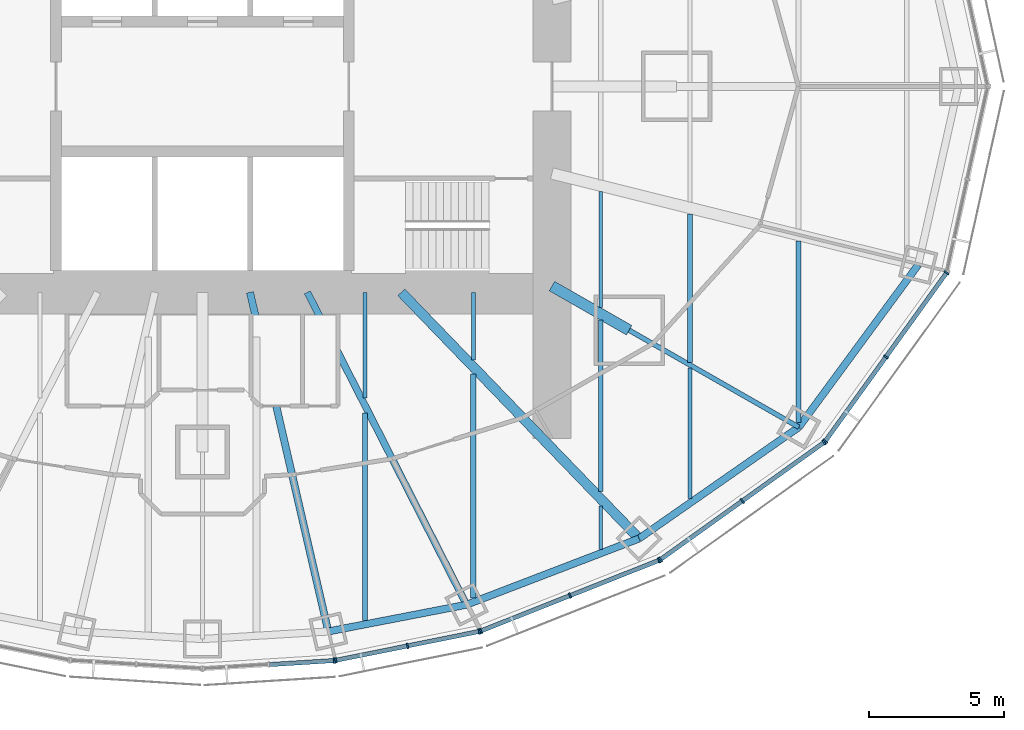
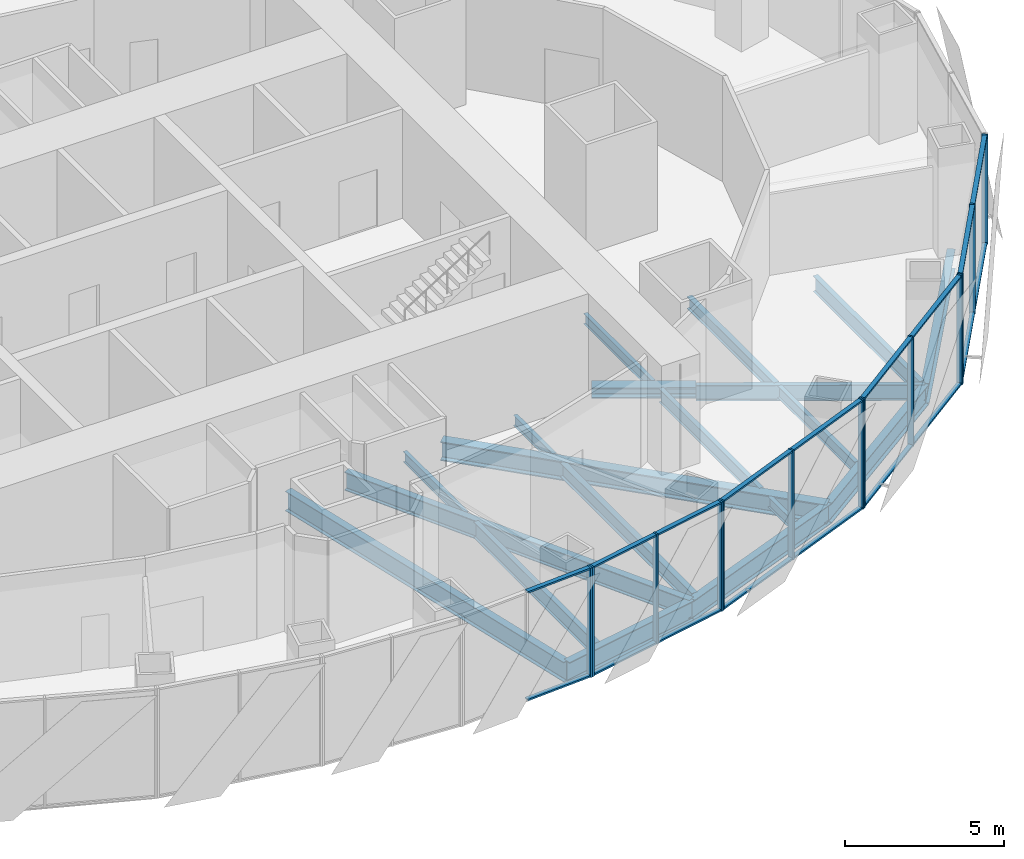
# One storey, part 5 of 18: 31 members, 19 beams, 5 elements without a shape of their own.
"""IFC4 building model written with IfcOpenShell, lengths in metres."""

from ifc_helpers import new_model, si_unit, direction, frame, origin, origin_2d, place, context, subcontext, project, spatial, rectangle, i_section, extrude, material, material_profile, profile_set, type_object, element, aggregate, save


model = new_model("IFC4")

# Units and contexts
model_context = context("Model", 3, precision=1e-05, world=origin(), true_north=direction((0.0, 1.0)))
body_context = subcontext(model_context, "Body", "Model", "MODEL_VIEW")
ifc_project = project(units=[si_unit("LENGTHUNIT", "METRE"), si_unit("AREAUNIT", "SQUARE_METRE"), si_unit("VOLUMEUNIT", "CUBIC_METRE"), si_unit("PLANEANGLEUNIT", "RADIAN"), si_unit("MASSUNIT", "GRAM", prefix="KILO")], contexts=[model_context])

# Site, building, storey
site_placement = place(None, origin())
site = spatial("IfcSite", under=ifc_project, at=site_placement, CompositionType="ELEMENT")
building_placement = place(site_placement, origin())
building = spatial("IfcBuilding", under=site, at=building_placement, Name="Lantaw Convention Tower", CompositionType="ELEMENT")
storey_placement = place(building_placement, frame((0.0, 0.0, 172.0)))
storey = spatial("IfcBuildingStorey", under=building, at=storey_placement, Name="L40", CompositionType="ELEMENT", Elevation=172.0)

# Beams
ifc_material_1 = material(Name="Steel ASTM A992", Category="steel")
ifc_material_profile_1 = material_profile(ifc_material_1, i_section(OverallWidth=0.2666015625, OverallDepth=0.76953125, WebThickness=0.015625, FlangeThickness=0.025390625, FilletRadius=0.0126953125, at=origin_2d()), Name="W30X132")
ifc_profile_set_1 = profile_set([ifc_material_profile_1], Name="Steel ASTM A992")
beam_type_1 = type_object("IfcBeamType", Name="Beam E W30X132", PredefinedType="SPANDREL", material=ifc_profile_set_1)
beam_1_placement = place(storey_placement, frame((4.64501953125, -20.1201171875, -0.534912109375), z_axis=(0.981796805654, 0.189934284446, 0.0), x_axis=(-0.189934284446, 0.981796805654, 0.0)))
element("IfcBeam", 1, at=beam_1_placement, inside=storey, type_object=beam_type_1, Name="Edge beam 20", PredefinedType="SPANDREL", context=body_context, shape_type="SweptSolid", body=[
    extrude(i_section(OverallWidth=0.2666015625, OverallDepth=0.76953125, WebThickness=0.015625, FlangeThickness=0.025390625, FilletRadius=0.0126953125, at=origin_2d()), origin(), (0.0, 0.0, 1.0), 5.1982421875),
])
beam_2_placement = place(storey_placement, frame((9.74853515625, -19.1328125, -0.534912109375), z_axis=(0.933691081977, 0.358079549033, 0.0), x_axis=(-0.358079549033, 0.933691081977, 0.0)))
element("IfcBeam", 2, at=beam_2_placement, inside=storey, type_object=beam_type_1, Name="Edge beam 21", PredefinedType="SPANDREL", context=body_context, shape_type="SweptSolid", body=[
    extrude(i_section(OverallWidth=0.2666015625, OverallDepth=0.76953125, WebThickness=0.015625, FlangeThickness=0.025390625, FilletRadius=0.0126953125, at=origin_2d()), origin(), (0.0, 0.0, 1.0), 6.821533203125),
])
beam_3_placement = place(storey_placement, frame((16.11767578125, -16.690185546875, -0.534912109375), z_axis=(0.820310765287, 0.57191804339, 0.0), x_axis=(-0.57191804339, 0.820310765287, 0.0)))
element("IfcBeam", 3, at=beam_3_placement, inside=storey, type_object=beam_type_1, Name="Edge beam 22", PredefinedType="SPANDREL", context=body_context, shape_type="SweptSolid", body=[
    extrude(i_section(OverallWidth=0.2666015625, OverallDepth=0.76953125, WebThickness=0.015625, FlangeThickness=0.025390625, FilletRadius=0.0126953125, at=origin_2d()), origin(), (0.0, 0.0, 1.0), 7.187744140625),
])
beam_4_placement = place(storey_placement, frame((22.013916015625, -12.579345703125, -0.534912109375), z_axis=(0.5923891972, 0.805651934176, 0.0), x_axis=(-0.805651934176, 0.5923891972, 0.0)))
element("IfcBeam", 4, at=beam_4_placement, inside=storey, type_object=beam_type_1, Name="Edge beam 23", PredefinedType="SPANDREL", context=body_context, shape_type="SweptSolid", body=[
    extrude(i_section(OverallWidth=0.2666015625, OverallDepth=0.76953125, WebThickness=0.015625, FlangeThickness=0.025390625, FilletRadius=0.0126953125, at=origin_2d()), origin(), (0.0, 0.0, 1.0), 7.437744140625),
])
ifc_material_profile_2 = material_profile(ifc_material_1, i_section(OverallWidth=0.177978515625, OverallDepth=0.599365234375, WebThickness=0.010009765625, FlangeThickness=0.012939453125, FilletRadius=0.012939453125, at=origin_2d()), Name="W24X55")
ifc_profile_set_2 = profile_set([ifc_material_profile_2], Name="Steel ASTM A992")
beam_type_2 = type_object("IfcBeamType", Name="Beam G W24X55", PredefinedType="BEAM", material=ifc_profile_set_2)
beam_5_placement = place(storey_placement, frame((15.75, -9.0, -0.44970703125), z_axis=(0.868245224608, -0.496135293993, 0.0), x_axis=(0.496135293993, 0.868245224608, 0.0)))
element("IfcBeam", 5, at=beam_5_placement, inside=storey, type_object=beam_type_2, Name="Floor girder on ray 23", PredefinedType="BEAM", context=body_context, shape_type="SweptSolid", body=[
    extrude(i_section(OverallWidth=0.177978515625, OverallDepth=0.599365234375, WebThickness=0.010009765625, FlangeThickness=0.012939453125, FilletRadius=0.012939453125, at=origin_2d()), origin(), (0.0, 0.0, 1.0), 7.21435546875),
])
ifc_material_profile_3 = material_profile(ifc_material_1, i_section(OverallWidth=0.25390625, OverallDepth=0.700927734375, WebThickness=0.015380859375, FlangeThickness=0.02783203125, FilletRadius=0.01513671875, at=origin_2d()), Name="W27X129")
ifc_profile_set_3 = profile_set([ifc_material_profile_3], Name="Steel ASTM A992")
beam_type_3 = type_object("IfcBeamType", Name="Beam G W27X129", PredefinedType="BEAM", material=ifc_profile_set_3)
beam_6_placement = place(storey_placement, frame((3.872314453125, -7.60009765625, -0.50048828125), z_axis=(0.453991051051, -0.891006243281, 0.0), x_axis=(0.891006243281, 0.453991051051, 0.0)))
element("IfcBeam", 6, at=beam_6_placement, inside=storey, type_object=beam_type_3, Name="Floor girder on ray 21", PredefinedType="BEAM", context=body_context, shape_type="SweptSolid", body=[
    extrude(i_section(OverallWidth=0.25390625, OverallDepth=0.700927734375, WebThickness=0.015380859375, FlangeThickness=0.02783203125, FilletRadius=0.01513671875, at=origin_2d()), origin(), (0.0, 0.0, 1.0), 12.943359375),
])
ifc_material_profile_4 = material_profile(ifc_material_1, i_section(OverallWidth=0.360595703125, OverallDepth=0.72900390625, WebThickness=0.023193359375, FlangeThickness=0.041015625, FilletRadius=0.0126953125, at=origin_2d()), Name="W27X235")
ifc_profile_set_4 = profile_set([ifc_material_profile_4], Name="Steel ASTM A992")
beam_type_4 = type_object("IfcBeamType", Name="Beam G W27X235", PredefinedType="BEAM", material=ifc_profile_set_4)
beam_7_placement = place(storey_placement, frame((7.33935546875, -7.60009765625, -0.514404296875), z_axis=(0.694663467407, -0.719334878239, 0.0), x_axis=(0.719334878239, 0.694663467407, 0.0)))
element("IfcBeam", 7, at=beam_7_placement, inside=storey, type_object=beam_type_4, Name="Floor girder on ray 22", PredefinedType="BEAM", context=body_context, shape_type="SweptSolid", body=[
    extrude(i_section(OverallWidth=0.360595703125, OverallDepth=0.72900390625, WebThickness=0.023193359375, FlangeThickness=0.041015625, FilletRadius=0.0126953125, at=origin_2d()), origin(), (0.0, 0.0, 1.0), 12.63671875),
])
ifc_material_profile_5 = material_profile(ifc_material_1, i_section(OverallWidth=0.2666015625, OverallDepth=0.7568359375, WebThickness=0.013916015625, FlangeThickness=0.019287109375, FilletRadius=0.0126953125, at=origin_2d()), Name="W30X108")
ifc_profile_set_5 = profile_set([ifc_material_profile_5], Name="Steel ASTM A992")
beam_type_5 = type_object("IfcBeamType", Name="Beam G W30X108", PredefinedType="BEAM", material=ifc_profile_set_5)
beam_8_placement = place(storey_placement, frame((1.754638671875, -7.60009765625, -0.528564453125), z_axis=(0.224944153104, -0.974371658036, 0.0), x_axis=(0.974371658036, 0.224944153104, 0.0)))
element("IfcBeam", 8, at=beam_8_placement, inside=storey, type_object=beam_type_5, Name="Floor girder on ray 20", PredefinedType="BEAM", context=body_context, shape_type="SweptSolid", body=[
    extrude(i_section(OverallWidth=0.2666015625, OverallDepth=0.7568359375, WebThickness=0.013916015625, FlangeThickness=0.019287109375, FilletRadius=0.0126953125, at=origin_2d()), origin(), (0.0, 0.0, 1.0), 12.849365234375),
])
ifc_material_profile_6 = material_profile(ifc_material_1, i_section(OverallWidth=0.40380859375, OverallDepth=0.406494140625, WebThickness=0.027099609375, FlangeThickness=0.043701171875, FilletRadius=0.01513671875, at=origin_2d()), Name="W14X233")
ifc_profile_set_6 = profile_set([ifc_material_profile_6], Name="Steel ASTM A992")
beam_type_6 = type_object("IfcBeamType", Name="Beam GM W14X233", PredefinedType="BEAM", material=ifc_profile_set_6)
beam_9_placement = place(storey_placement, frame((12.89990234375, -7.371337890625, -0.353271484375), z_axis=(0.868238565244, -0.496146947811, 0.0), x_axis=(0.496146947811, 0.868238565244, 0.0)))
element("IfcBeam", 9, at=beam_9_placement, inside=storey, type_object=beam_type_6, Name="Core link beam on ray 23", PredefinedType="BEAM", context=body_context, shape_type="SweptSolid", body=[
    extrude(i_section(OverallWidth=0.40380859375, OverallDepth=0.406494140625, WebThickness=0.027099609375, FlangeThickness=0.043701171875, FilletRadius=0.01513671875, at=origin_2d()), origin(), (0.0, 0.0, 1.0), 3.28271484375),
])
ifc_material_profile_7 = material_profile(ifc_material_1, i_section(OverallWidth=0.140380859375, OverallDepth=0.40380859375, WebThickness=0.007080078125, FlangeThickness=0.01123046875, FilletRadius=0.01025390625, at=origin_2d()), Name="W16X31")
ifc_profile_set_7 = profile_set([ifc_material_profile_7], Name="Steel ASTM A992")
beam_type_7 = type_object("IfcBeamType", Name="Beam J W16X31", PredefinedType="JOIST", material=ifc_profile_set_7)
beam_10_placement = place(storey_placement, frame((6.0, -11.495849609375, -0.35205078125), z_axis=(0.0, 1.0, 0.0), x_axis=(-1.0, 0.0, 0.0)))
element("IfcBeam", 10, at=beam_10_placement, inside=storey, type_object=beam_type_7, Name="Floor joist", PredefinedType="JOIST", context=body_context, shape_type="SweptSolid", body=[
    extrude(i_section(OverallWidth=0.140380859375, OverallDepth=0.40380859375, WebThickness=0.007080078125, FlangeThickness=0.01123046875, FilletRadius=0.01025390625, at=origin_2d()), origin(), (0.0, 0.0, 1.0), 3.895751953125),
])
beam_11_placement = place(storey_placement, frame((10.0, -10.095703125, -0.35205078125), z_axis=(0.0, 1.0, 0.0), x_axis=(-1.0, 0.0, 0.0)))
element("IfcBeam", 11, at=beam_11_placement, inside=storey, type_object=beam_type_7, Name="Floor joist", PredefinedType="JOIST", context=body_context, shape_type="SweptSolid", body=[
    extrude(i_section(OverallWidth=0.140380859375, OverallDepth=0.40380859375, WebThickness=0.007080078125, FlangeThickness=0.01123046875, FilletRadius=0.01025390625, at=origin_2d()), origin(), (0.0, 0.0, 1.0), 2.49560546875),
])
beam_12_placement = place(storey_placement, frame((14.699951171875, -17.091064453125, -0.35205078125), z_axis=(0.0, 1.0, 0.0), x_axis=(-1.0, 0.0, 0.0)))
element("IfcBeam", 12, at=beam_12_placement, inside=storey, type_object=beam_type_7, Name="Floor joist", PredefinedType="JOIST", context=body_context, shape_type="SweptSolid", body=[
    extrude(i_section(OverallWidth=0.140380859375, OverallDepth=0.40380859375, WebThickness=0.007080078125, FlangeThickness=0.01123046875, FilletRadius=0.01025390625, at=origin_2d()), origin(), (0.0, 0.0, 1.0), 1.609130859375),
])
beam_13_placement = place(storey_placement, frame((14.699951171875, -8.16748046875, -0.35205078125), z_axis=(0.0, 1.0, 0.0), x_axis=(-1.0, 0.0, 0.0)))
element("IfcBeam", 13, at=beam_13_placement, inside=storey, type_object=beam_type_7, Name="Floor joist", PredefinedType="JOIST", context=body_context, shape_type="SweptSolid", body=[
    extrude(i_section(OverallWidth=0.140380859375, OverallDepth=0.40380859375, WebThickness=0.007080078125, FlangeThickness=0.01123046875, FilletRadius=0.01025390625, at=origin_2d()), origin(), (0.0, 0.0, 1.0), 4.28515625),
])
ifc_material_profile_8 = material_profile(ifc_material_1, i_section(OverallWidth=0.15234375, OverallDepth=0.449462890625, WebThickness=0.007568359375, FlangeThickness=0.0107421875, FilletRadius=0.01025390625, at=origin_2d()), Name="W18X35")
ifc_profile_set_8 = profile_set([ifc_material_profile_8], Name="Steel ASTM A992")
beam_type_8 = type_object("IfcBeamType", Name="Beam J W18X35", PredefinedType="JOIST", material=ifc_profile_set_8)
beam_14_placement = place(storey_placement, frame((18.0, -15.21533203125, -0.374755859375), z_axis=(0.0, 1.0, 0.0), x_axis=(-1.0, 0.0, 0.0)))
element("IfcBeam", 14, at=beam_14_placement, inside=storey, type_object=beam_type_8, Name="Floor joist", PredefinedType="JOIST", context=body_context, shape_type="SweptSolid", body=[
    extrude(i_section(OverallWidth=0.15234375, OverallDepth=0.449462890625, WebThickness=0.007568359375, FlangeThickness=0.0107421875, FilletRadius=0.01025390625, at=origin_2d()), origin(), (0.0, 0.0, 1.0), 4.8271484375),
])
ifc_material_profile_9 = material_profile(ifc_material_1, i_section(OverallWidth=0.1904296875, OverallDepth=0.457275390625, WebThickness=0.009033203125, FlangeThickness=0.014404296875, FilletRadius=0.01025390625, at=origin_2d()), Name="W18X50")
ifc_profile_set_9 = profile_set([ifc_material_profile_9], Name="Steel ASTM A992")
beam_type_9 = type_object("IfcBeamType", Name="Beam J W18X50", PredefinedType="JOIST", material=ifc_profile_set_9)
beam_15_placement = place(storey_placement, frame((18.0, -10.18310546875, -0.378662109375), z_axis=(0.0, 1.0, 0.0), x_axis=(-1.0, 0.0, 0.0)))
element("IfcBeam", 15, at=beam_15_placement, inside=storey, type_object=beam_type_9, Name="Floor joist", PredefinedType="JOIST", context=body_context, shape_type="SweptSolid", body=[
    extrude(i_section(OverallWidth=0.1904296875, OverallDepth=0.457275390625, WebThickness=0.009033203125, FlangeThickness=0.014404296875, FilletRadius=0.01025390625, at=origin_2d()), origin(), (0.0, 0.0, 1.0), 5.47802734375),
])
ifc_material_profile_10 = material_profile(ifc_material_1, i_section(OverallWidth=0.1650390625, OverallDepth=0.52587890625, WebThickness=0.0087890625, FlangeThickness=0.011474609375, FilletRadius=0.0126953125, at=origin_2d()), Name="W21X44")
ifc_profile_set_10 = profile_set([ifc_material_profile_10], Name="Steel ASTM A992")
beam_type_10 = type_object("IfcBeamType", Name="Beam J W21X44", PredefinedType="JOIST", material=ifc_profile_set_10)
beam_16_placement = place(storey_placement, frame((14.699951171875, -14.962646484375, -0.412841796875), z_axis=(0.0, 1.0, 0.0), x_axis=(-1.0, 0.0, 0.0)))
element("IfcBeam", 16, at=beam_16_placement, inside=storey, type_object=beam_type_10, Name="Floor joist", PredefinedType="JOIST", context=body_context, shape_type="SweptSolid", body=[
    extrude(i_section(OverallWidth=0.1650390625, OverallDepth=0.52587890625, WebThickness=0.0087890625, FlangeThickness=0.011474609375, FilletRadius=0.0126953125, at=origin_2d()), origin(), (0.0, 0.0, 1.0), 6.330078125),
])
ifc_material_profile_11 = material_profile(ifc_material_1, i_section(OverallWidth=0.2099609375, OverallDepth=0.535888671875, WebThickness=0.010986328125, FlangeThickness=0.017333984375, FilletRadius=0.012939453125, at=origin_2d()), Name="W21X68")
ifc_profile_set_11 = profile_set([ifc_material_profile_11], Name="Steel ASTM A992")
beam_type_11 = type_object("IfcBeamType", Name="Beam J W21X68", PredefinedType="JOIST", material=ifc_profile_set_11)
beam_17_placement = place(storey_placement, frame((10.0, -18.8935546875, -0.41796875), z_axis=(0.0, 1.0, 0.0), x_axis=(-1.0, 0.0, 0.0)))
element("IfcBeam", 17, at=beam_17_placement, inside=storey, type_object=beam_type_11, Name="Floor joist", PredefinedType="JOIST", context=body_context, shape_type="SweptSolid", body=[
    extrude(i_section(OverallWidth=0.2099609375, OverallDepth=0.535888671875, WebThickness=0.010986328125, FlangeThickness=0.017333984375, FilletRadius=0.012939453125, at=origin_2d()), origin(), (0.0, 0.0, 1.0), 8.278564453125),
])
ifc_material_profile_12 = material_profile(ifc_material_1, i_section(OverallWidth=0.177978515625, OverallDepth=0.599365234375, WebThickness=0.010009765625, FlangeThickness=0.012939453125, FilletRadius=0.012939453125, at=origin_2d()), Name="W24X55")
ifc_profile_set_12 = profile_set([ifc_material_profile_12], Name="Steel ASTM A992")
beam_type_12 = type_object("IfcBeamType", Name="Beam J W24X55", PredefinedType="JOIST", material=ifc_profile_set_12)
beam_18_placement = place(storey_placement, frame((6.0, -19.72216796875, -0.44970703125), z_axis=(0.0, 1.0, 0.0), x_axis=(-1.0, 0.0, 0.0)))
element("IfcBeam", 18, at=beam_18_placement, inside=storey, type_object=beam_type_12, Name="Floor joist", PredefinedType="JOIST", context=body_context, shape_type="SweptSolid", body=[
    extrude(i_section(OverallWidth=0.177978515625, OverallDepth=0.599365234375, WebThickness=0.010009765625, FlangeThickness=0.012939453125, FilletRadius=0.012939453125, at=origin_2d()), origin(), (0.0, 0.0, 1.0), 7.666748046875),
])
beam_19_placement = place(storey_placement, frame((22.0, -12.408935546875, -0.44970703125), z_axis=(0.0, 1.0, 0.0), x_axis=(-1.0, 0.0, 0.0)))
element("IfcBeam", 19, at=beam_19_placement, inside=storey, type_object=beam_type_12, Name="Floor joist", PredefinedType="JOIST", context=body_context, shape_type="SweptSolid", body=[
    extrude(i_section(OverallWidth=0.177978515625, OverallDepth=0.599365234375, WebThickness=0.010009765625, FlangeThickness=0.012939453125, FilletRadius=0.012939453125, at=origin_2d()), origin(), (0.0, 0.0, 1.0), 6.70654296875),
])

# Curtain wall, member
ifc_material_2 = material(Name="Aluminium framed curtain wall", Category="aluminium")
curtain_wall_type = type_object("IfcCurtainWallType", Name="Office curtain wall low rise, pale aluminium", PredefinedType="USERDEFINED", material=ifc_material_2)
curtain_wall_1_placement = place(storey_placement, origin())
curtain_wall_1 = element("IfcCurtainWall", 20, at=curtain_wall_1_placement, inside=storey, type_object=curtain_wall_type, Name="Office curtain wall low rise, pale aluminium L40", ObjectType="UNITISED CURTAIN WALL", PredefinedType="USERDEFINED")
ifc_material_3 = material(Name="Aluminium 6063-T6", Category="aluminium")
ifc_material_profile_13 = material_profile(ifc_material_3, rectangle(XDim=0.199951171875, YDim=0.06494140625, at=origin_2d()), Name="CW-O1 mullion 65x200")
ifc_profile_set_13 = profile_set([ifc_material_profile_13], Name="Aluminium 6063-T6")
member_type_1 = type_object("IfcMemberType", Name="CW-O1 mullion 65x200", PredefinedType="MULLION", material=ifc_profile_set_13)
member_1_placement = place(storey_placement, frame((4.860107421875, -21.19384765625, -0.14990234375), z_axis=(0.0, 0.0, 1.0), x_axis=(-0.062865059466, 0.998022035978, 0.0)))
member_1 = element("IfcMember", 21, at=member_1_placement, type_object=member_type_1, Name="CW-O1 mullion 3", PredefinedType="MULLION", context=body_context, shape_type="SweptSolid", body=[
    extrude(rectangle(XDim=0.199951171875, YDim=0.06494140625, at=origin_2d()), origin(), (0.0, 0.0, 1.0), 4.199951171875),
])

# Curtain wall, members
curtain_wall_2_placement = place(storey_placement, origin())
curtain_wall_2 = element("IfcCurtainWall", 22, at=curtain_wall_2_placement, inside=storey, type_object=curtain_wall_type, Name="Office curtain wall low rise, pale aluminium L40", ObjectType="UNITISED CURTAIN WALL", PredefinedType="USERDEFINED")
member_2_placement = place(storey_placement, frame((4.92431640625, -21.185302734375, -0.14990234375), z_axis=(0.0, 0.0, 1.0), x_axis=(-0.197506809659, 0.980301514912, 0.0)))
member_2 = element("IfcMember", 23, at=member_2_placement, type_object=member_type_1, Name="CW-O1 mullion 1", PredefinedType="MULLION", context=body_context, shape_type="SweptSolid", body=[
    extrude(rectangle(XDim=0.199951171875, YDim=0.06494140625, at=origin_2d()), origin(), (0.0, 0.0, 1.0), 4.199951171875),
])
member_3_placement = place(storey_placement, frame((7.5703125, -20.65234375, -0.14990234375), z_axis=(0.0, 0.0, 1.0), x_axis=(-0.197506809659, 0.980301514912, 0.0)))
member_3 = element("IfcMember", 24, at=member_3_placement, type_object=member_type_1, Name="CW-O1 mullion 2", PredefinedType="MULLION", context=body_context, shape_type="SweptSolid", body=[
    extrude(rectangle(XDim=0.199951171875, YDim=0.06494140625, at=origin_2d()), origin(), (0.0, 0.0, 1.0), 4.199951171875),
])
member_4_placement = place(storey_placement, frame((10.216064453125, -20.119140625, -0.14990234375), z_axis=(0.0, 0.0, 1.0), x_axis=(-0.197506809659, 0.980301514912, 0.0)))
member_4 = element("IfcMember", 25, at=member_4_placement, type_object=member_type_1, Name="CW-O1 mullion 3", PredefinedType="MULLION", context=body_context, shape_type="SweptSolid", body=[
    extrude(rectangle(XDim=0.199951171875, YDim=0.06494140625, at=origin_2d()), origin(), (0.0, 0.0, 1.0), 4.199951171875),
])

curtain_wall_3_placement = place(storey_placement, origin())
curtain_wall_3 = element("IfcCurtainWall", 26, at=curtain_wall_3_placement, inside=storey, type_object=curtain_wall_type, Name="Office curtain wall low rise, pale aluminium L40", ObjectType="UNITISED CURTAIN WALL", PredefinedType="USERDEFINED")
member_5_placement = place(storey_placement, frame((10.2783203125, -20.100830078125, -0.14990234375), z_axis=(0.0, 0.0, 1.0), x_axis=(-0.368701907483, 0.929547687544, 0.0)))
member_5 = element("IfcMember", 27, at=member_5_placement, type_object=member_type_1, Name="CW-O1 mullion 1", PredefinedType="MULLION", context=body_context, shape_type="SweptSolid", body=[
    extrude(rectangle(XDim=0.199951171875, YDim=0.06494140625, at=origin_2d()), origin(), (0.0, 0.0, 1.0), 4.199951171875),
])
member_6_placement = place(storey_placement, frame((13.56494140625, -18.797119140625, -0.14990234375), z_axis=(0.0, 0.0, 1.0), x_axis=(-0.368701907483, 0.929547687544, 0.0)))
member_6 = element("IfcMember", 28, at=member_6_placement, type_object=member_type_1, Name="CW-O1 mullion 2", PredefinedType="MULLION", context=body_context, shape_type="SweptSolid", body=[
    extrude(rectangle(XDim=0.199951171875, YDim=0.06494140625, at=origin_2d()), origin(), (0.0, 0.0, 1.0), 4.199951171875),
])
member_7_placement = place(storey_placement, frame((16.8515625, -17.49365234375, -0.14990234375), z_axis=(0.0, 0.0, 1.0), x_axis=(-0.368701907483, 0.929547687544, 0.0)))
member_7 = element("IfcMember", 29, at=member_7_placement, type_object=member_type_1, Name="CW-O1 mullion 3", PredefinedType="MULLION", context=body_context, shape_type="SweptSolid", body=[
    extrude(rectangle(XDim=0.199951171875, YDim=0.06494140625, at=origin_2d()), origin(), (0.0, 0.0, 1.0), 4.199951171875),
])

curtain_wall_4_placement = place(storey_placement, origin())
curtain_wall_4 = element("IfcCurtainWall", 30, at=curtain_wall_4_placement, inside=storey, type_object=curtain_wall_type, Name="Office curtain wall low rise, pale aluminium L40", ObjectType="UNITISED CURTAIN WALL", PredefinedType="USERDEFINED")
member_8_placement = place(storey_placement, frame((16.908203125, -17.462646484375, -0.14990234375), z_axis=(0.0, 0.0, 1.0), x_axis=(-0.581972695693, 0.813208325995, 0.0)))
member_8 = element("IfcMember", 31, at=member_8_placement, type_object=member_type_1, Name="CW-O1 mullion 1", PredefinedType="MULLION", context=body_context, shape_type="SweptSolid", body=[
    extrude(rectangle(XDim=0.199951171875, YDim=0.06494140625, at=origin_2d()), origin(), (0.0, 0.0, 1.0), 4.199951171875),
])
member_9_placement = place(storey_placement, frame((19.92529296875, -15.303466796875, -0.14990234375), z_axis=(0.0, 0.0, 1.0), x_axis=(-0.581972695693, 0.813208325995, 0.0)))
member_9 = element("IfcMember", 32, at=member_9_placement, type_object=member_type_1, Name="CW-O1 mullion 2", PredefinedType="MULLION", context=body_context, shape_type="SweptSolid", body=[
    extrude(rectangle(XDim=0.199951171875, YDim=0.06494140625, at=origin_2d()), origin(), (0.0, 0.0, 1.0), 4.199951171875),
])
member_10_placement = place(storey_placement, frame((22.942626953125, -13.14404296875, -0.14990234375), z_axis=(0.0, 0.0, 1.0), x_axis=(-0.581972695693, 0.813208325995, 0.0)))
member_10 = element("IfcMember", 33, at=member_10_placement, type_object=member_type_1, Name="CW-O1 mullion 3", PredefinedType="MULLION", context=body_context, shape_type="SweptSolid", body=[
    extrude(rectangle(XDim=0.199951171875, YDim=0.06494140625, at=origin_2d()), origin(), (0.0, 0.0, 1.0), 4.199951171875),
])

curtain_wall_5_placement = place(storey_placement, origin())
curtain_wall_5 = element("IfcCurtainWall", 34, at=curtain_wall_5_placement, inside=storey, type_object=curtain_wall_type, Name="Office curtain wall low rise, pale aluminium L40", ObjectType="UNITISED CURTAIN WALL", PredefinedType="USERDEFINED")
member_11_placement = place(storey_placement, frame((22.988037109375, -13.098876953125, -0.14990234375), z_axis=(0.0, 0.0, 1.0), x_axis=(-0.811384633629, 0.584512597221, 0.0)))
member_11 = element("IfcMember", 35, at=member_11_placement, type_object=member_type_1, Name="CW-O1 mullion 1", PredefinedType="MULLION", context=body_context, shape_type="SweptSolid", body=[
    extrude(rectangle(XDim=0.199951171875, YDim=0.06494140625, at=origin_2d()), origin(), (0.0, 0.0, 1.0), 4.199951171875),
])
member_12_placement = place(storey_placement, frame((25.22802734375, -9.9892578125, -0.14990234375), z_axis=(0.0, 0.0, 1.0), x_axis=(-0.811384633629, 0.584512597221, 0.0)))
member_12 = element("IfcMember", 36, at=member_12_placement, type_object=member_type_1, Name="CW-O1 mullion 2", PredefinedType="MULLION", context=body_context, shape_type="SweptSolid", body=[
    extrude(rectangle(XDim=0.199951171875, YDim=0.06494140625, at=origin_2d()), origin(), (0.0, 0.0, 1.0), 4.199951171875),
])
member_13_placement = place(storey_placement, frame((27.46826171875, -6.879638671875, -0.14990234375), z_axis=(0.0, 0.0, 1.0), x_axis=(-0.811384633629, 0.584512597221, 0.0)))
member_13 = element("IfcMember", 37, at=member_13_placement, type_object=member_type_1, Name="CW-O1 mullion 3", PredefinedType="MULLION", context=body_context, shape_type="SweptSolid", body=[
    extrude(rectangle(XDim=0.199951171875, YDim=0.06494140625, at=origin_2d()), origin(), (0.0, 0.0, 1.0), 4.199951171875),
])

# Member
ifc_material_profile_14 = material_profile(ifc_material_3, rectangle(XDim=0.159912109375, YDim=0.06494140625, at=origin_2d()), Name="CW-O1 transom 65x160")
ifc_profile_set_14 = profile_set([ifc_material_profile_14], Name="Aluminium 6063-T6")
member_type_2 = type_object("IfcMemberType", Name="CW-O1 transom 65x160", PredefinedType="USERDEFINED", material=ifc_profile_set_14)
member_14_placement = place(storey_placement, frame((2.478759765625, -21.34375, -0.117431640625), z_axis=(0.998022188463, 0.062862638625, 0.0), x_axis=(-0.062862638625, 0.998022188463, 0.0)))
member_14 = element("IfcMember", 38, at=member_14_placement, type_object=member_type_2, Name="CW-O1 transom 2.1", ObjectType="TRANSOM", PredefinedType="USERDEFINED", context=body_context, shape_type="SweptSolid", body=[
    extrude(rectangle(XDim=0.159912109375, YDim=0.06494140625, at=origin_2d()), origin(), (0.0, 0.0, 1.0), 2.353515625),
])

member_15_placement = place(storey_placement, frame((2.478759765625, -21.34375, 4.017578125), z_axis=(0.998022188463, 0.062862638625, 0.0), x_axis=(-0.062862638625, 0.998022188463, 0.0)))
member_15 = element("IfcMember", 39, at=member_15_placement, type_object=member_type_2, Name="CW-O1 transom 2.2", ObjectType="TRANSOM", PredefinedType="USERDEFINED", context=body_context, shape_type="SweptSolid", body=[
    extrude(rectangle(XDim=0.159912109375, YDim=0.06494140625, at=origin_2d()), origin(), (0.0, 0.0, 1.0), 2.353515625),
])

aggregate(curtain_wall_1, [member_1, member_14, member_15])

member_16_placement = place(storey_placement, frame((4.956298828125, -21.178955078125, -0.117431640625), z_axis=(0.980298027092, 0.197524120247, 0.0), x_axis=(-0.197524120247, 0.980298027092, 0.0)))
member_16 = element("IfcMember", 40, at=member_16_placement, type_object=member_type_2, Name="CW-O1 transom 1.1", ObjectType="TRANSOM", PredefinedType="USERDEFINED", context=body_context, shape_type="SweptSolid", body=[
    extrude(rectangle(XDim=0.159912109375, YDim=0.06494140625, at=origin_2d()), origin(), (0.0, 0.0, 1.0), 2.634033203125),
])

member_17_placement = place(storey_placement, frame((4.956298828125, -21.178955078125, 4.017578125), z_axis=(0.980298027092, 0.197524120247, 0.0), x_axis=(-0.197524120247, 0.980298027092, 0.0)))
member_17 = element("IfcMember", 41, at=member_17_placement, type_object=member_type_2, Name="CW-O1 transom 1.2", ObjectType="TRANSOM", PredefinedType="USERDEFINED", context=body_context, shape_type="SweptSolid", body=[
    extrude(rectangle(XDim=0.159912109375, YDim=0.06494140625, at=origin_2d()), origin(), (0.0, 0.0, 1.0), 2.634033203125),
])

member_18_placement = place(storey_placement, frame((7.60205078125, -20.64599609375, -0.117431640625), z_axis=(0.980301643003, 0.197506173891, 0.0), x_axis=(-0.197506173891, 0.980301643003, 0.0)))
member_18 = element("IfcMember", 42, at=member_18_placement, type_object=member_type_2, Name="CW-O1 transom 2.1", ObjectType="TRANSOM", PredefinedType="USERDEFINED", context=body_context, shape_type="SweptSolid", body=[
    extrude(rectangle(XDim=0.159912109375, YDim=0.06494140625, at=origin_2d()), origin(), (0.0, 0.0, 1.0), 2.63427734375),
])

member_19_placement = place(storey_placement, frame((7.60205078125, -20.64599609375, 4.017578125), z_axis=(0.980301643003, 0.197506173891, 0.0), x_axis=(-0.197506173891, 0.980301643003, 0.0)))
member_19 = element("IfcMember", 43, at=member_19_placement, type_object=member_type_2, Name="CW-O1 transom 2.2", ObjectType="TRANSOM", PredefinedType="USERDEFINED", context=body_context, shape_type="SweptSolid", body=[
    extrude(rectangle(XDim=0.159912109375, YDim=0.06494140625, at=origin_2d()), origin(), (0.0, 0.0, 1.0), 2.63427734375),
])

aggregate(curtain_wall_2, [member_2, member_3, member_4, member_16, member_17, member_18, member_19])

member_20_placement = place(storey_placement, frame((10.308349609375, -20.0888671875, -0.117431640625), z_axis=(0.929540081544, 0.368721082668, 0.0), x_axis=(-0.368721082668, 0.929540081544, 0.0)))
member_20 = element("IfcMember", 44, at=member_20_placement, type_object=member_type_2, Name="CW-O1 transom 1.1", ObjectType="TRANSOM", PredefinedType="USERDEFINED", context=body_context, shape_type="SweptSolid", body=[
    extrude(rectangle(XDim=0.159912109375, YDim=0.06494140625, at=origin_2d()), origin(), (0.0, 0.0, 1.0), 3.470947265625),
])

member_21_placement = place(storey_placement, frame((10.308349609375, -20.0888671875, 4.017578125), z_axis=(0.929540081544, 0.368721082668, 0.0), x_axis=(-0.368721082668, 0.929540081544, 0.0)))
member_21 = element("IfcMember", 45, at=member_21_placement, type_object=member_type_2, Name="CW-O1 transom 1.2", ObjectType="TRANSOM", PredefinedType="USERDEFINED", context=body_context, shape_type="SweptSolid", body=[
    extrude(rectangle(XDim=0.159912109375, YDim=0.06494140625, at=origin_2d()), origin(), (0.0, 0.0, 1.0), 3.470947265625),
])

member_22_placement = place(storey_placement, frame((13.594970703125, -18.78515625, -0.117431640625), z_axis=(0.929564188507, 0.368660303592, 0.0), x_axis=(-0.368660303592, 0.929564188507, 0.0)))
member_22 = element("IfcMember", 46, at=member_22_placement, type_object=member_type_2, Name="CW-O1 transom 2.1", ObjectType="TRANSOM", PredefinedType="USERDEFINED", context=body_context, shape_type="SweptSolid", body=[
    extrude(rectangle(XDim=0.159912109375, YDim=0.06494140625, at=origin_2d()), origin(), (0.0, 0.0, 1.0), 3.470703125),
])

member_23_placement = place(storey_placement, frame((13.594970703125, -18.78515625, 4.017578125), z_axis=(0.929564188507, 0.368660303592, 0.0), x_axis=(-0.368660303592, 0.929564188507, 0.0)))
member_23 = element("IfcMember", 47, at=member_23_placement, type_object=member_type_2, Name="CW-O1 transom 2.2", ObjectType="TRANSOM", PredefinedType="USERDEFINED", context=body_context, shape_type="SweptSolid", body=[
    extrude(rectangle(XDim=0.159912109375, YDim=0.06494140625, at=origin_2d()), origin(), (0.0, 0.0, 1.0), 3.470703125),
])

aggregate(curtain_wall_3, [member_5, member_6, member_7, member_20, member_21, member_22, member_23])

member_24_placement = place(storey_placement, frame((16.9345703125, -17.44384765625, -0.117431640625), z_axis=(0.813190089133, 0.581998177777, 0.0), x_axis=(-0.581998177777, 0.813190089133, 0.0)))
member_24 = element("IfcMember", 48, at=member_24_placement, type_object=member_type_2, Name="CW-O1 transom 1.1", ObjectType="TRANSOM", PredefinedType="USERDEFINED", context=body_context, shape_type="SweptSolid", body=[
    extrude(rectangle(XDim=0.159912109375, YDim=0.06494140625, at=origin_2d()), origin(), (0.0, 0.0, 1.0), 3.645263671875),
])

member_25_placement = place(storey_placement, frame((16.9345703125, -17.44384765625, 4.017578125), z_axis=(0.813190089133, 0.581998177777, 0.0), x_axis=(-0.581998177777, 0.813190089133, 0.0)))
member_25 = element("IfcMember", 49, at=member_25_placement, type_object=member_type_2, Name="CW-O1 transom 1.2", ObjectType="TRANSOM", PredefinedType="USERDEFINED", context=body_context, shape_type="SweptSolid", body=[
    extrude(rectangle(XDim=0.159912109375, YDim=0.06494140625, at=origin_2d()), origin(), (0.0, 0.0, 1.0), 3.645263671875),
])

member_26_placement = place(storey_placement, frame((19.951904296875, -15.284423828125, -0.117431640625), z_axis=(0.813221785972, 0.581953887194, 0.0), x_axis=(-0.581953887194, 0.813221785972, 0.0)))
member_26 = element("IfcMember", 50, at=member_26_placement, type_object=member_type_2, Name="CW-O1 transom 2.1", ObjectType="TRANSOM", PredefinedType="USERDEFINED", context=body_context, shape_type="SweptSolid", body=[
    extrude(rectangle(XDim=0.159912109375, YDim=0.06494140625, at=origin_2d()), origin(), (0.0, 0.0, 1.0), 3.645263671875),
])

member_27_placement = place(storey_placement, frame((19.951904296875, -15.284423828125, 4.017578125), z_axis=(0.813221785972, 0.581953887194, 0.0), x_axis=(-0.581953887194, 0.813221785972, 0.0)))
member_27 = element("IfcMember", 51, at=member_27_placement, type_object=member_type_2, Name="CW-O1 transom 2.2", ObjectType="TRANSOM", PredefinedType="USERDEFINED", context=body_context, shape_type="SweptSolid", body=[
    extrude(rectangle(XDim=0.159912109375, YDim=0.06494140625, at=origin_2d()), origin(), (0.0, 0.0, 1.0), 3.645263671875),
])

aggregate(curtain_wall_4, [member_8, member_9, member_10, member_24, member_25, member_26, member_27])

member_28_placement = place(storey_placement, frame((23.007080078125, -13.072509765625, -0.117431640625), z_axis=(0.584512973979, 0.811384362217, 0.0), x_axis=(-0.811384362217, 0.584512973979, 0.0)))
member_28 = element("IfcMember", 52, at=member_28_placement, type_object=member_type_2, Name="CW-O1 transom 1.1", ObjectType="TRANSOM", PredefinedType="USERDEFINED", context=body_context, shape_type="SweptSolid", body=[
    extrude(rectangle(XDim=0.159912109375, YDim=0.06494140625, at=origin_2d()), origin(), (0.0, 0.0, 1.0), 3.767578125),
])

member_29_placement = place(storey_placement, frame((23.007080078125, -13.072509765625, 4.017578125), z_axis=(0.584512973979, 0.811384362217, 0.0), x_axis=(-0.811384362217, 0.584512973979, 0.0)))
member_29 = element("IfcMember", 53, at=member_29_placement, type_object=member_type_2, Name="CW-O1 transom 1.2", ObjectType="TRANSOM", PredefinedType="USERDEFINED", context=body_context, shape_type="SweptSolid", body=[
    extrude(rectangle(XDim=0.159912109375, YDim=0.06494140625, at=origin_2d()), origin(), (0.0, 0.0, 1.0), 3.767578125),
])

member_30_placement = place(storey_placement, frame((25.2470703125, -9.962890625, -0.117431640625), z_axis=(0.584512973979, 0.811384362217, 0.0), x_axis=(-0.811384362217, 0.584512973979, 0.0)))
member_30 = element("IfcMember", 54, at=member_30_placement, type_object=member_type_2, Name="CW-O1 transom 2.1", ObjectType="TRANSOM", PredefinedType="USERDEFINED", context=body_context, shape_type="SweptSolid", body=[
    extrude(rectangle(XDim=0.159912109375, YDim=0.06494140625, at=origin_2d()), origin(), (0.0, 0.0, 1.0), 3.767578125),
])

member_31_placement = place(storey_placement, frame((25.2470703125, -9.962890625, 4.017578125), z_axis=(0.584512973979, 0.811384362217, 0.0), x_axis=(-0.811384362217, 0.584512973979, 0.0)))
member_31 = element("IfcMember", 55, at=member_31_placement, type_object=member_type_2, Name="CW-O1 transom 2.2", ObjectType="TRANSOM", PredefinedType="USERDEFINED", context=body_context, shape_type="SweptSolid", body=[
    extrude(rectangle(XDim=0.159912109375, YDim=0.06494140625, at=origin_2d()), origin(), (0.0, 0.0, 1.0), 3.767578125),
])

aggregate(curtain_wall_5, [member_11, member_12, member_13, member_28, member_29, member_30, member_31])

save(model, "model.ifc")
